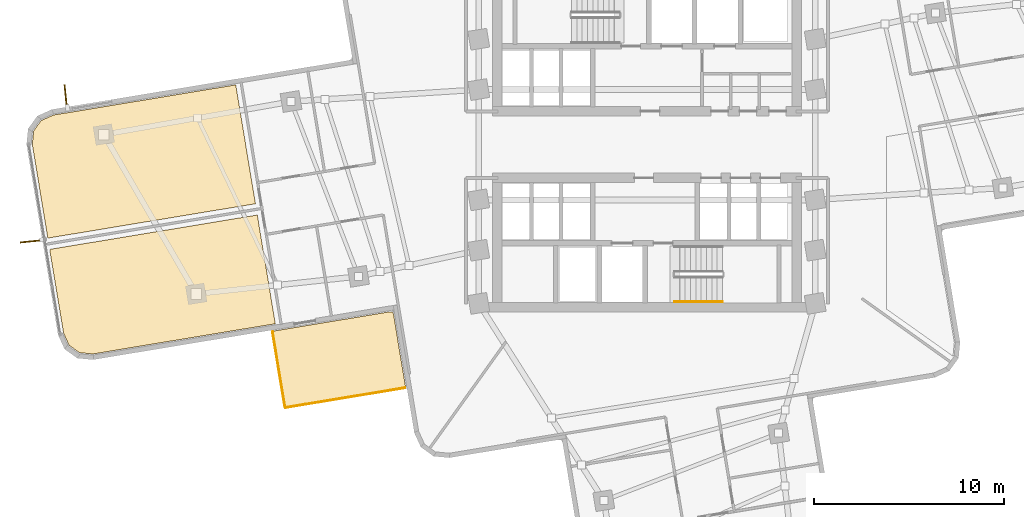
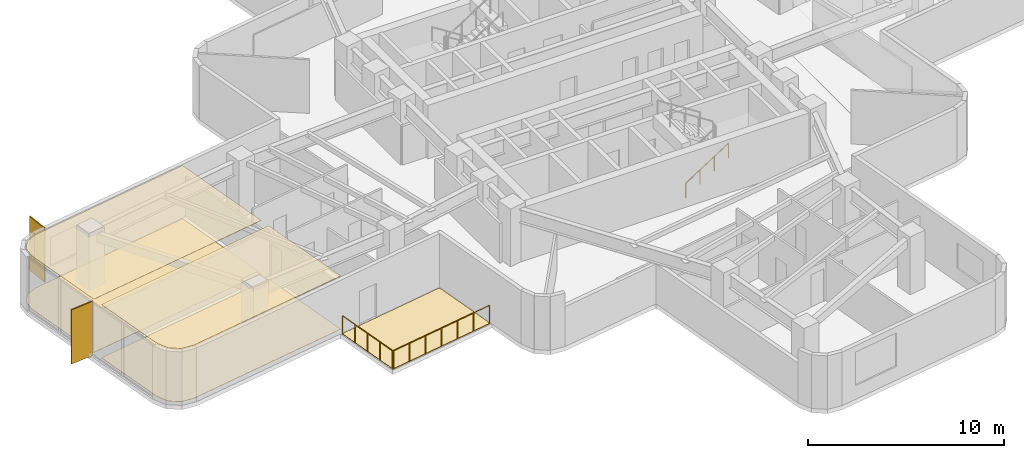
# One storey, part 11 of 13: 5 coverings, 3 railings, 2 shading devices.
"""IFC4 building model written with IfcOpenShell, lengths in metres."""

from ifc_helpers import new_model, si_unit, direction, frame, origin, origin_2d, place, context, subcontext, project, spatial, polyline, rectangle, circle, outline, extrude, material, layer, layer_set, type_object, element, save


model = new_model("IFC4")

# Units and contexts
model_context = context("Model", 3, precision=1e-05, world=origin(), true_north=direction((0.0, 1.0)))
body_context = subcontext(model_context, "Body", "Model", "MODEL_VIEW")
ifc_project = project(units=[si_unit("LENGTHUNIT", "METRE"), si_unit("AREAUNIT", "SQUARE_METRE"), si_unit("VOLUMEUNIT", "CUBIC_METRE"), si_unit("PLANEANGLEUNIT", "RADIAN"), si_unit("MASSUNIT", "GRAM", prefix="KILO")], contexts=[model_context])

# Site, building, storey
site_placement = place(None, origin())
site = spatial("IfcSite", under=ifc_project, at=site_placement, CompositionType="ELEMENT")
building_placement = place(site_placement, origin())
building = spatial("IfcBuilding", under=site, at=building_placement, Name="Solmarez Civic Tower", CompositionType="ELEMENT")
storey_placement = place(building_placement, frame((0.0, 0.0, 96.47998046875)))
storey = spatial("IfcBuildingStorey", under=building, at=storey_placement, Name="L25", CompositionType="ELEMENT", Elevation=96.47998046875)

# Coverings
ifc_material_1 = material(Name="Perforated Mineral-Fibre Acoustic Ceiling")
ifc_layer_1 = layer(ifc_material_1, 0.02490234375)
ifc_layer_set_1 = layer_set([ifc_layer_1], Name="Perforated Mineral-Fibre Acoustic Ceiling")
covering_type_1 = type_object("IfcCoveringType", Name="COV-CEIL-ACOUSTIC", PredefinedType="CEILING", material=ifc_layer_set_1)
covering_1_placement = place(storey_placement, frame((0.0, 0.0, 3.31494140625)))
element("IfcCovering", 1, at=covering_1_placement, inside=storey, type_object=covering_type_1, Name="L25 Suspended Acoustic Ceiling 2", PredefinedType="CEILING", context=body_context, shape_type="SweptSolid", body=[
    extrude(outline(polyline([(-21.635009765625, 3.14892578125), (-31.23388671875, 1.56005859375), (-31.87890625, 1.26708984375), (-32.26806640625, 0.72412109375), (-32.3369140625, 0.01904296875), (-31.52099609375, -4.9140625), (-20.59912109375, -3.10595703125), (-21.635009765625, 3.14892578125)])), origin(), (0.0, 0.0, 1.0), 0.025146484375),
])
covering_2_placement = place(storey_placement, frame((0.0, 0.0, 3.31494140625)))
element("IfcCovering", 2, at=covering_2_placement, inside=storey, type_object=covering_type_1, Name="L25 Suspended Acoustic Ceiling 3", PredefinedType="CEILING", context=body_context, shape_type="SweptSolid", body=[
    extrude(outline(polyline([(-31.423095703125, -5.506103515625), (-30.694091796875, -9.906982421875), (-30.402099609375, -10.551025390625), (-29.85888671875, -10.93994140625), (-29.153076171875, -11.009033203125), (-19.553955078125, -9.419921875), (-20.5009765625, -3.697998046875), (-31.423095703125, -5.506103515625)])), origin(), (0.0, 0.0, 1.0), 0.025146484375),
])
ifc_material_2 = material(Name="Polished Tropical Stone Terrazzo Flooring", Category="masonry")
ifc_layer_2 = layer(ifc_material_2, 0.02001953125)
ifc_layer_set_2 = layer_set([ifc_layer_2], Name="Polished Tropical Stone Terrazzo Flooring")
covering_type_2 = type_object("IfcCoveringType", Name="COV-FLOOR-TERRAZZO", PredefinedType="FLOORING", material=ifc_layer_set_2)
covering_3_placement = place(storey_placement, origin())
element("IfcCovering", 3, at=covering_3_placement, inside=storey, type_object=covering_type_2, Name="L25 Terrazzo Floor Finish 2", PredefinedType="FLOORING", context=body_context, shape_type="SweptSolid", body=[
    extrude(outline(polyline([(-21.635009765625, 3.14892578125), (-31.23388671875, 1.56005859375), (-31.87890625, 1.26708984375), (-32.26806640625, 0.72412109375), (-32.3369140625, 0.01904296875), (-31.52099609375, -4.9140625), (-20.59912109375, -3.10595703125), (-21.635009765625, 3.14892578125)])), origin(), (0.0, 0.0, 1.0), 0.02001953125),
])
covering_4_placement = place(storey_placement, origin())
element("IfcCovering", 4, at=covering_4_placement, inside=storey, type_object=covering_type_2, Name="L25 Terrazzo Floor Finish 3", PredefinedType="FLOORING", context=body_context, shape_type="SweptSolid", body=[
    extrude(outline(polyline([(-31.423095703125, -5.506103515625), (-30.694091796875, -9.906982421875), (-30.402099609375, -10.551025390625), (-29.85888671875, -10.93994140625), (-29.153076171875, -11.009033203125), (-19.553955078125, -9.419921875), (-20.5009765625, -3.697998046875), (-31.423095703125, -5.506103515625)])), origin(), (0.0, 0.0, 1.0), 0.02001953125),
])
ifc_material_3 = material(Name="Elastomeric Terrace Waterproofing Membrane")
ifc_layer_3 = layer(ifc_material_3, 0.030029296875)
ifc_layer_set_3 = layer_set([ifc_layer_3], Name="Elastomeric Terrace Waterproofing Membrane")
covering_type_3 = type_object("IfcCoveringType", Name="COV-MEMBRANE-ROOF", PredefinedType="ROOFING", material=ifc_layer_set_3)
covering_5_placement = place(storey_placement, origin())
element("IfcCovering", 5, at=covering_5_placement, inside=storey, type_object=covering_type_3, Name="L25 Balcony Waterproofing SW", PredefinedType="ROOFING", context=body_context, shape_type="SweptSolid", body=[
    extrude(outline(polyline([(-13.3349609375, -8.9169921875), (-13.386962890625, -8.800048828125), (-13.514892578125, -8.787109375), (-19.701904296875, -9.81103515625), (-19.035888671875, -13.8349609375), (-12.694091796875, -12.784912109375), (-13.3349609375, -8.9169921875)])), origin(), (0.0, 0.0, 1.0), 0.030029296875),
])

# Shading devices
ifc_material_4 = material(Name="Bronze Anodised Aluminium EN AW-6063 T6", Category="aluminium")
ifc_layer_4 = layer(ifc_material_4, 0.06494140625)
ifc_layer_set_4 = layer_set([ifc_layer_4], Name="Bronze Anodised Aluminium EN AW-6063 T6")
shading_device_type = type_object("IfcShadingDeviceType", Name="FIN-BRONZE-Z12", PredefinedType="USERDEFINED", material=ifc_layer_set_4)
for number, where, z_axis, x_axis, name in (
    (6, (-32.31005859375, -5.074951171875, -0.0400390625), (0.0, 0.0, 1.0), (-0.995046898889, -0.099406584345, 0.0), "L25 Anodised Bronze Solar Fin FIN-L25-01"),
    (7, (-30.574951171875, 2.48388671875, -0.0400390625), (0.0, 0.0, 1.0), (-0.099371850595, 0.995050368227, 0.0), "L25 Anodised Bronze Solar Fin FIN-L25-02"),
):
    element("IfcShadingDevice", number, at=place(storey_placement, frame(where, z_axis=z_axis, x_axis=x_axis)), inside=storey, type_object=shading_device_type, Name=name, ObjectType="FIN", PredefinedType="USERDEFINED", context=body_context, shape_type="SweptSolid", body=[
        extrude(rectangle(XDim=1.35009765625, YDim=0.06494140625, at=origin_2d()), origin(), (0.0, 0.0, 1.0), 3.3798828125),
    ])

# Railings
ifc_material_5 = material(Name="Bronze Anodised Aluminium and Laminated Safety Glass Balustrade", Category="aluminium")
railing_type_1 = type_object("IfcRailingType", Name="GUARD-TERR-1180", PredefinedType="BALUSTRADE", material=ifc_material_5)
railing_1_placement = place(storey_placement, frame((-19.696044921875, -9.845947265625, 0.0)))
element("IfcRailing", 8, at=railing_1_placement, inside=storey, type_object=railing_type_1, Name="L25 Safety Balustrade GRD-BALC-L25-SW-1", PredefinedType="BALUSTRADE", context=body_context, shape_type="SweptSolid", body=[
    extrude(circle(Radius=0.02392578125, at=origin_2d()), frame((0.0, 0.0, 1.15576171875), z_axis=(0.163193717452, -0.986594045484, 0.0), x_axis=(0.986594045484, 0.163193717452, 0.0)), (0.0, 0.0, 1.0), 4.0078125),
    extrude(circle(Radius=0.02099609375, at=origin_2d()), origin(), (0.0, 0.0, 1.0), 1.1318359375),
    extrude(circle(Radius=0.02099609375, at=origin_2d()), frame((0.16357421875, -0.988525390625, 0.0)), (0.0, 0.0, 1.0), 1.1318359375),
    extrude(circle(Radius=0.02099609375, at=origin_2d()), frame((0.3271484375, -1.97705078125, 0.0)), (0.0, 0.0, 1.0), 1.1318359375),
    extrude(circle(Radius=0.02099609375, at=origin_2d()), frame((0.490478515625, -2.965576171875, 0.0)), (0.0, 0.0, 1.0), 1.1318359375),
    extrude(circle(Radius=0.02099609375, at=origin_2d()), frame((0.654052734375, -3.9541015625, 0.0)), (0.0, 0.0, 1.0), 1.1318359375),
])
railing_2_placement = place(storey_placement, frame((-19.0009765625, -13.8291015625, 0.0)))
element("IfcRailing", 9, at=railing_2_placement, inside=storey, type_object=railing_type_1, Name="L25 Safety Balustrade GRD-BALC-L25-SW-2", PredefinedType="BALUSTRADE", context=body_context, shape_type="SweptSolid", body=[
    extrude(circle(Radius=0.02392578125, at=origin_2d()), frame((0.0, 0.0, 1.15576171875), z_axis=(0.986578051468, 0.163290380492, 0.0), x_axis=(-0.163290380492, 0.986578051468, 0.0)), (0.0, 0.0, 1.0), 6.357421875),
    extrude(circle(Radius=0.02099609375, at=origin_2d()), origin(), (0.0, 0.0, 1.0), 1.1318359375),
    extrude(circle(Radius=0.02099609375, at=origin_2d()), frame((1.04541015625, 0.173095703125, 0.0)), (0.0, 0.0, 1.0), 1.1318359375),
    extrude(circle(Radius=0.02099609375, at=origin_2d()), frame((2.090576171875, 0.345947265625, 0.0)), (0.0, 0.0, 1.0), 1.1318359375),
    extrude(circle(Radius=0.02099609375, at=origin_2d()), frame((3.135986328125, 0.51904296875, 0.0)), (0.0, 0.0, 1.0), 1.1318359375),
    extrude(circle(Radius=0.02099609375, at=origin_2d()), frame((4.181396484375, 0.692138671875, 0.0)), (0.0, 0.0, 1.0), 1.1318359375),
    extrude(circle(Radius=0.02099609375, at=origin_2d()), frame((5.2265625, 0.864990234375, 0.0)), (0.0, 0.0, 1.0), 1.1318359375),
    extrude(circle(Radius=0.02099609375, at=origin_2d()), frame((6.27197265625, 1.0380859375, 0.0)), (0.0, 0.0, 1.0), 1.1318359375),
])
ifc_material_6 = material(Name="Brushed Stainless Steel Tube Handrail", Category="steel")
railing_type_2 = type_object("IfcRailingType", Name="HANDRAIL-STAIR-900", PredefinedType="HANDRAIL", material=ifc_material_6)
railing_3_placement = place(storey_placement, frame((1.449951171875, -8.27001953125, 0.179931640625)))
element("IfcRailing", 10, at=railing_3_placement, inside=storey, type_object=railing_type_2, Name="L25 ST-2 stair handrail 1", PredefinedType="HANDRAIL", context=body_context, shape_type="SweptSolid", body=[
    extrude(circle(Radius=0.02392578125, at=origin_2d()), frame((0.0, 0.0, 0.8759765625), z_axis=(0.841162588446, 0.0, 0.540782303519), x_axis=(0.0, 1.0, 0.0)), (0.0, 0.0, 1.0), 2.995849609375),
    extrude(circle(Radius=0.02099609375, at=origin_2d()), origin(), (0.0, 0.0, 1.0), 0.851806640625),
    extrude(circle(Radius=0.02099609375, at=origin_2d()), frame((0.840087890625, 0.0, 0.5400390625)), (0.0, 0.0, 1.0), 0.851806640625),
    extrude(circle(Radius=0.02099609375, at=origin_2d()), frame((1.679931640625, 0.0, 1.080078125)), (0.0, 0.0, 1.0), 0.851806640625),
    extrude(circle(Radius=0.02099609375, at=origin_2d()), frame((2.52001953125, 0.0, 1.6201171875)), (0.0, 0.0, 1.0), 0.851806640625),
])

save(model, "model.ifc")
